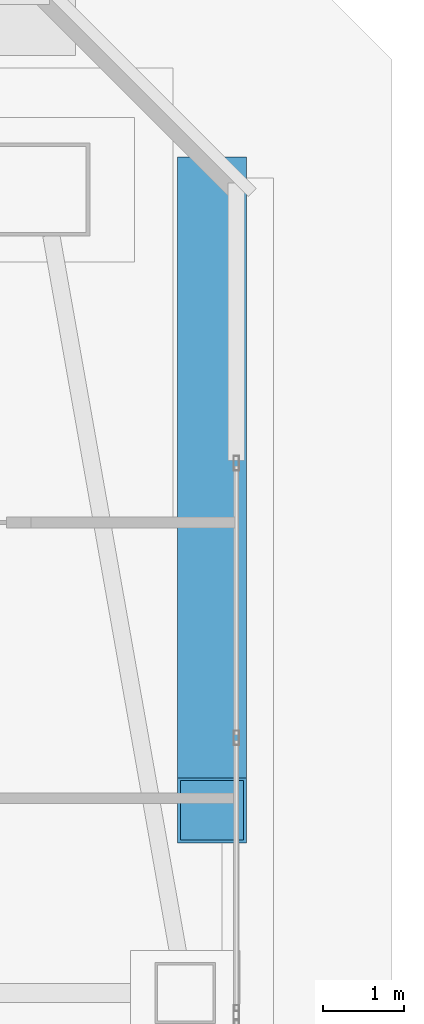
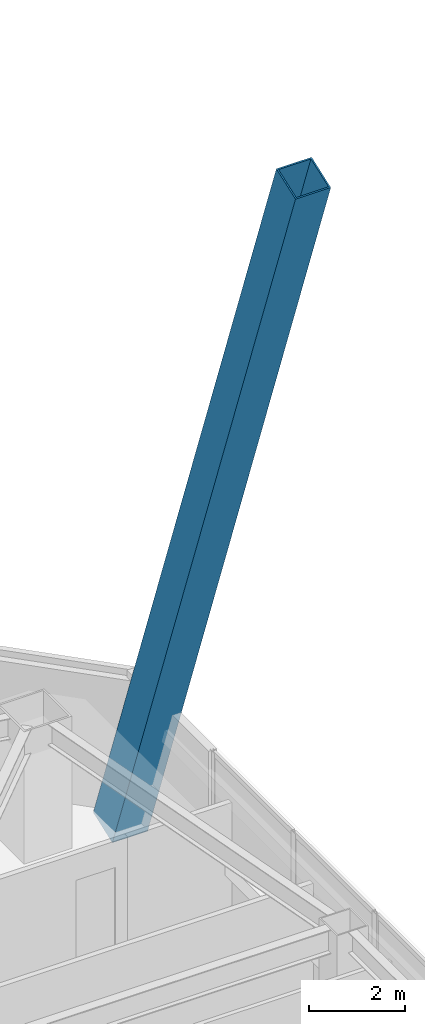
# One storey, part 25 of 65: 1 member.
"""IFC4 building model written with IfcOpenShell, lengths in metres."""

from ifc_helpers import new_model, si_unit, direction, frame, origin, origin_2d, place, context, subcontext, project, spatial, hollow_rectangle, extrude, material, material_profile, profile_set, type_object, element, save


model = new_model("IFC4")

# Units and contexts
model_context = context("Model", 3, precision=1e-05, world=origin(), true_north=direction((0.0, 1.0)))
body_context = subcontext(model_context, "Body", "Model", "MODEL_VIEW")
ifc_project = project(units=[si_unit("LENGTHUNIT", "METRE"), si_unit("AREAUNIT", "SQUARE_METRE"), si_unit("VOLUMEUNIT", "CUBIC_METRE"), si_unit("PLANEANGLEUNIT", "RADIAN"), si_unit("MASSUNIT", "GRAM", prefix="KILO")], contexts=[model_context])

# Site, building, storey
site_placement = place(None, origin())
site = spatial("IfcSite", under=ifc_project, at=site_placement, CompositionType="ELEMENT")
building_placement = place(site_placement, origin())
building = spatial("IfcBuilding", under=site, at=building_placement, Name="Tashvorn Skyway Center", CompositionType="ELEMENT")
storey_placement = place(building_placement, frame((0.0, 0.0, 157.0)))
storey = spatial("IfcBuildingStorey", under=building, at=storey_placement, Name="L42", CompositionType="ELEMENT", Elevation=157.0)

# Member
ifc_material = material(Name="Steel ASTM A572 Grade 50", Category="steel")
ifc_material_profile = material_profile(ifc_material, hollow_rectangle(XDim=0.85009765625, YDim=0.85009765625, WallThickness=0.034912109375, at=origin_2d()), Name="BOX850x850x35")
ifc_profile_set = profile_set([ifc_material_profile], Name="Steel ASTM A572 Grade 50")
member_type = type_object("IfcMemberType", Name="MEM-MB-850", PredefinedType="BRACE", material=ifc_profile_set)
member_placement = place(storey_placement, frame((59.3798828125, 47.300048828125, -0.199951171875), z_axis=(0.0, -0.341568887038, 0.93985674196), x_axis=(1.0, 0.0, 0.0)))
element("IfcMember", 1, at=member_placement, inside=storey, type_object=member_type, Name="Tower 1 Zone 4 E Chevron Mega-Brace R1", PredefinedType="BRACE", context=body_context, shape_type="SweptSolid", body=[
    extrude(hollow_rectangle(XDim=0.85009765625, YDim=0.85009765625, WallThickness=0.034912109375, at=origin_2d()), origin(), (0.0, 0.0, 1.0), 22.39697265625),
])

save(model, "model.ifc")
